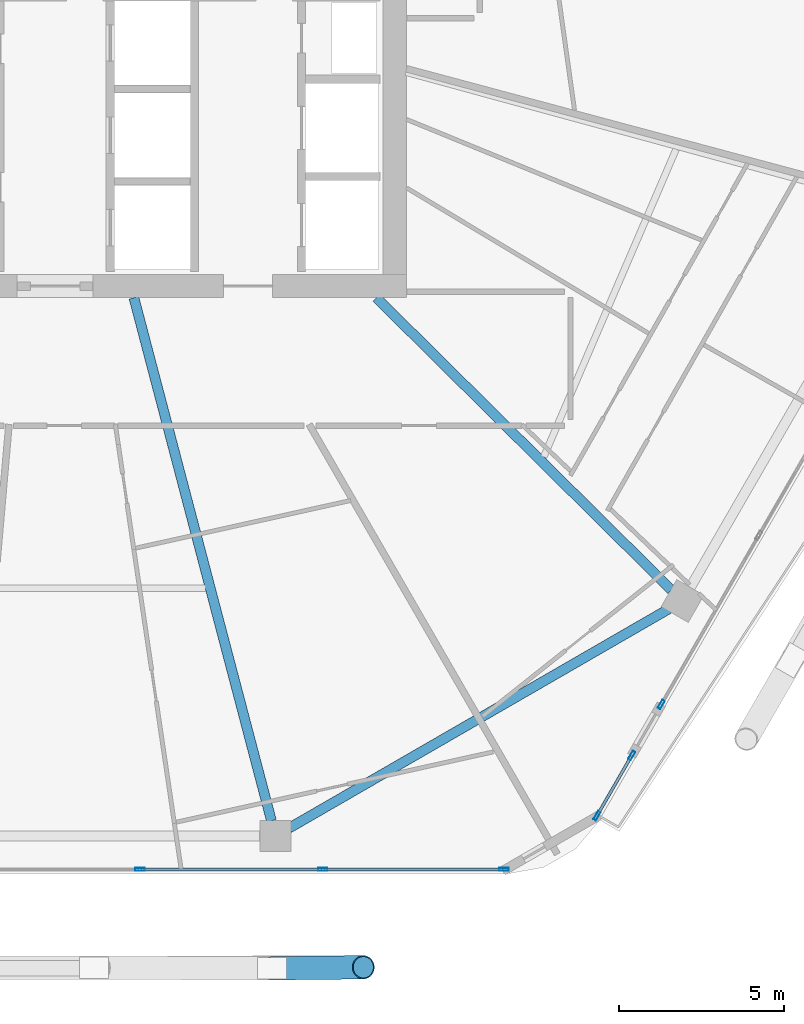
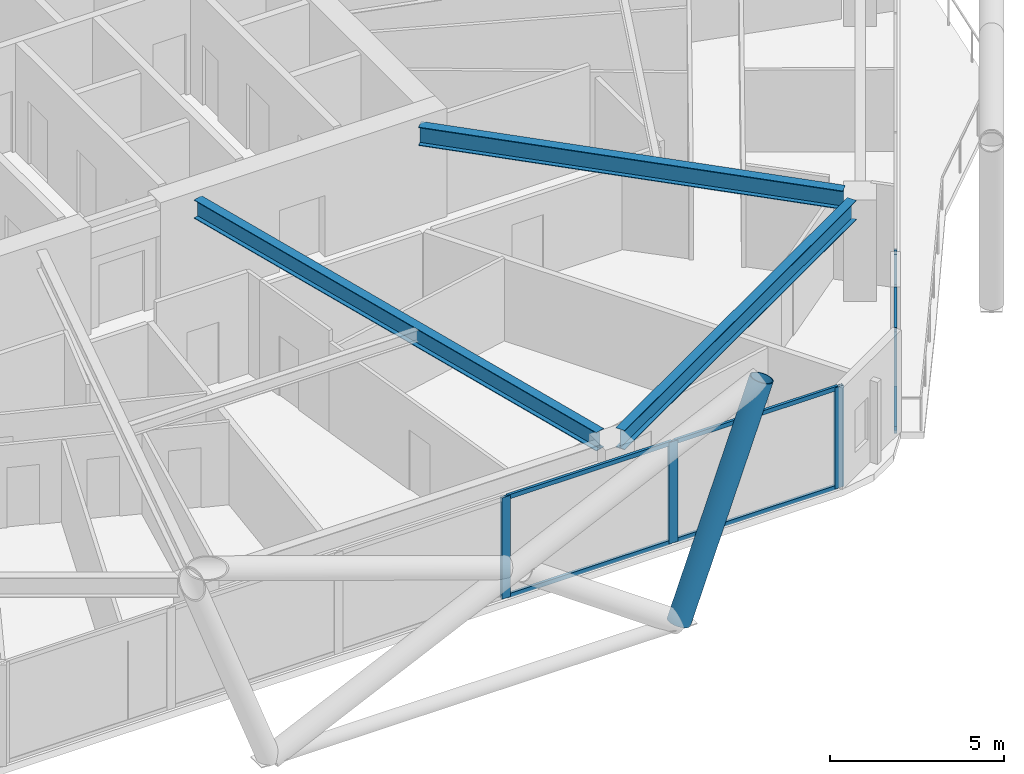
# One storey, part 7 of 28: 13 members, 3 beams, 3 elements without a shape of their own.
"""IFC4 building model written with IfcOpenShell, lengths in metres."""

from ifc_helpers import new_model, si_unit, direction, frame, origin, origin_2d, place, context, subcontext, project, spatial, hollow_rectangle, hollow_circle, i_section, extrude, material, material_profile, profile_set, type_object, element, aggregate, save


model = new_model("IFC4")

# Units and contexts
model_context = context("Model", 3, precision=1e-05, world=origin(), true_north=direction((0.0, 1.0)))
body_context = subcontext(model_context, "Body", "Model", "MODEL_VIEW")
ifc_project = project(units=[si_unit("LENGTHUNIT", "METRE"), si_unit("AREAUNIT", "SQUARE_METRE"), si_unit("VOLUMEUNIT", "CUBIC_METRE"), si_unit("PLANEANGLEUNIT", "RADIAN"), si_unit("MASSUNIT", "GRAM", prefix="KILO")], contexts=[model_context])

# Site, building, storey
site_placement = place(None, origin())
site = spatial("IfcSite", under=ifc_project, at=site_placement, CompositionType="ELEMENT")
building_placement = place(site_placement, origin())
building = spatial("IfcBuilding", under=site, at=building_placement, Name="Zuhravey Tower", CompositionType="ELEMENT")
storey_placement = place(building_placement, frame((0.0, 0.0, 199.800048828125)))
storey = spatial("IfcBuildingStorey", under=building, at=storey_placement, Name="L50", CompositionType="ELEMENT", Elevation=199.800048828125)

# Curtain wall, member
ifc_material_1 = material(Name="Thermally broken anodised aluminium", Category="aluminium")
curtain_wall_type = type_object("IfcCurtainWallType", Name="Zone 1-2 Residential Curtain Wall CW3", PredefinedType="NOTDEFINED", material=ifc_material_1)
curtain_wall_1_placement = place(storey_placement, origin())
curtain_wall_1 = element("IfcCurtainWall", 1, at=curtain_wall_1_placement, inside=storey, type_object=curtain_wall_type, Name="L50 CW3 CW-L50-F6-1", PredefinedType="NOTDEFINED")
ifc_material_2 = material(Name="Anodised aluminium", Category="aluminium")
ifc_material_profile_1 = material_profile(ifc_material_2, hollow_rectangle(XDim=0.090087890625, YDim=0.284912109375, WallThickness=0.0048828125, at=origin_2d()), Name="ALU-RHS-90x285x5")
ifc_profile_set_1 = profile_set([ifc_material_profile_1], Name="Anodised aluminium")
member_type_1 = type_object("IfcMemberType", Name="Curtain-Wall Mullion 90x180", PredefinedType="MULLION", material=ifc_profile_set_1)
member_1_placement = place(storey_placement, frame((54.580810546875, 9.81689453125, 0.0), z_axis=(0.0, 0.0, 1.0), x_axis=(0.866025255938, -0.500000256078, 0.0)))
member_1 = element("IfcMember", 2, at=member_1_placement, type_object=member_type_1, Name="CW3 mullion 5", PredefinedType="MULLION", context=body_context, shape_type="SweptSolid", body=[
    extrude(hollow_rectangle(XDim=0.090087890625, YDim=0.284912109375, WallThickness=0.0048828125, at=origin_2d()), origin(), (0.0, 0.0, 1.0), 3.550048828125),
])
aggregate(curtain_wall_1, [member_1])

# Curtain wall, members
curtain_wall_2_placement = place(storey_placement, origin())
curtain_wall_2 = element("IfcCurtainWall", 3, at=curtain_wall_2_placement, inside=storey, type_object=curtain_wall_type, Name="L50 CW3 CW-L50-F6-2", PredefinedType="NOTDEFINED")
member_2_placement = place(storey_placement, frame((53.685791015625, 8.2666015625, 0.0), z_axis=(0.0, 0.0, 1.0), x_axis=(0.866017184947, -0.500014235174, 0.0)))
member_2 = element("IfcMember", 4, at=member_2_placement, type_object=member_type_1, Name="CW3 mullion 1", PredefinedType="MULLION", context=body_context, shape_type="SweptSolid", body=[
    extrude(hollow_rectangle(XDim=0.090087890625, YDim=0.284912109375, WallThickness=0.0048828125, at=origin_2d()), origin(), (0.0, 0.0, 1.0), 3.550048828125),
])
member_3_placement = place(storey_placement, frame((52.63330078125, 6.443359375, 0.0), z_axis=(0.0, 0.0, 1.0), x_axis=(0.866017184947, -0.500014235174, 0.0)))
member_3 = element("IfcMember", 5, at=member_3_placement, type_object=member_type_1, Name="CW3 mullion 2", PredefinedType="MULLION", context=body_context, shape_type="SweptSolid", body=[
    extrude(hollow_rectangle(XDim=0.090087890625, YDim=0.284912109375, WallThickness=0.0048828125, at=origin_2d()), origin(), (0.0, 0.0, 1.0), 3.550048828125),
])

curtain_wall_3_placement = place(storey_placement, origin())
curtain_wall_3 = element("IfcCurtainWall", 6, at=curtain_wall_3_placement, inside=storey, type_object=curtain_wall_type, Name="L50 CW3 CW-L50-F5-1", PredefinedType="NOTDEFINED")
member_4_placement = place(storey_placement, frame((49.816162109375, 4.81689453125, 0.0), z_axis=(0.0, 0.0, 1.0), x_axis=(0.0, -1.0, 0.0)))
member_4 = element("IfcMember", 7, at=member_4_placement, type_object=member_type_1, Name="CW3 mullion 1", PredefinedType="MULLION", context=body_context, shape_type="SweptSolid", body=[
    extrude(hollow_rectangle(XDim=0.090087890625, YDim=0.284912109375, WallThickness=0.0048828125, at=origin_2d()), origin(), (0.0, 0.0, 1.0), 3.550048828125),
])
member_5_placement = place(storey_placement, frame((44.316650390625, 4.81689453125, 0.0), z_axis=(0.0, 0.0, 1.0), x_axis=(0.0, -1.0, 0.0)))
member_5 = element("IfcMember", 8, at=member_5_placement, type_object=member_type_1, Name="CW3 mullion 2", PredefinedType="MULLION", context=body_context, shape_type="SweptSolid", body=[
    extrude(hollow_rectangle(XDim=0.090087890625, YDim=0.284912109375, WallThickness=0.0048828125, at=origin_2d()), origin(), (0.0, 0.0, 1.0), 3.550048828125),
])
member_6_placement = place(storey_placement, frame((38.772216796875, 4.81689453125, 0.0), z_axis=(0.0, 0.0, 1.0), x_axis=(0.0, -1.0, 0.0)))
member_6 = element("IfcMember", 9, at=member_6_placement, type_object=member_type_1, Name="CW3 mullion 3", PredefinedType="MULLION", context=body_context, shape_type="SweptSolid", body=[
    extrude(hollow_rectangle(XDim=0.090087890625, YDim=0.284912109375, WallThickness=0.0048828125, at=origin_2d()), origin(), (0.0, 0.0, 1.0), 3.550048828125),
])

# Member
ifc_material_profile_2 = material_profile(ifc_material_2, hollow_rectangle(XDim=0.090087890625, YDim=0.14990234375, WallThickness=0.0048828125, at=origin_2d()), Name="ALU-RHS-90x150x5")
ifc_profile_set_2 = profile_set([ifc_material_profile_2], Name="Anodised aluminium")
member_type_2 = type_object("IfcMemberType", Name="Curtain-Wall Transom 90x150", PredefinedType="USERDEFINED", material=ifc_profile_set_2)
member_7_placement = place(storey_placement, frame((53.663330078125, 8.2275390625, 0.044921875), z_axis=(-0.500009111705, -0.866020143075, 0.0), x_axis=(0.866020143075, -0.500009111705, 0.0)))
member_7 = element("IfcMember", 10, at=member_7_placement, type_object=member_type_2, Name="CW3 transom 1.1", ObjectType="TRANSOM", PredefinedType="USERDEFINED", context=body_context, shape_type="SweptSolid", body=[
    extrude(hollow_rectangle(XDim=0.090087890625, YDim=0.14990234375, WallThickness=0.0048828125, at=origin_2d()), origin(), (0.0, 0.0, 1.0), 2.01513671875),
])

member_8_placement = place(storey_placement, frame((53.663330078125, 8.2275390625, 3.5048828125), z_axis=(-0.500009111705, -0.866020143075, 0.0), x_axis=(0.866020143075, -0.500009111705, 0.0)))
member_8 = element("IfcMember", 11, at=member_8_placement, type_object=member_type_2, Name="CW3 transom 1.2", ObjectType="TRANSOM", PredefinedType="USERDEFINED", context=body_context, shape_type="SweptSolid", body=[
    extrude(hollow_rectangle(XDim=0.090087890625, YDim=0.14990234375, WallThickness=0.0048828125, at=origin_2d()), origin(), (0.0, 0.0, 1.0), 2.01513671875),
])

aggregate(curtain_wall_2, [member_2, member_3, member_7, member_8])

member_9_placement = place(storey_placement, frame((49.77099609375, 4.81689453125, 0.044921875), z_axis=(-1.0, 0.0, 0.0), x_axis=(0.0, -1.0, 0.0)))
member_9 = element("IfcMember", 12, at=member_9_placement, type_object=member_type_2, Name="CW3 transom 1.1", ObjectType="TRANSOM", PredefinedType="USERDEFINED", context=body_context, shape_type="SweptSolid", body=[
    extrude(hollow_rectangle(XDim=0.090087890625, YDim=0.14990234375, WallThickness=0.0048828125, at=origin_2d()), origin(), (0.0, 0.0, 1.0), 5.409423828125),
])

member_10_placement = place(storey_placement, frame((49.77099609375, 4.81689453125, 3.5048828125), z_axis=(-1.0, 0.0, 0.0), x_axis=(0.0, -1.0, 0.0)))
member_10 = element("IfcMember", 13, at=member_10_placement, type_object=member_type_2, Name="CW3 transom 1.2", ObjectType="TRANSOM", PredefinedType="USERDEFINED", context=body_context, shape_type="SweptSolid", body=[
    extrude(hollow_rectangle(XDim=0.090087890625, YDim=0.14990234375, WallThickness=0.0048828125, at=origin_2d()), origin(), (0.0, 0.0, 1.0), 5.409423828125),
])

member_11_placement = place(storey_placement, frame((44.271728515625, 4.81689453125, 0.044921875), z_axis=(-1.0, 0.0, 0.0), x_axis=(0.0, -1.0, 0.0)))
member_11 = element("IfcMember", 14, at=member_11_placement, type_object=member_type_2, Name="CW3 transom 2.1", ObjectType="TRANSOM", PredefinedType="USERDEFINED", context=body_context, shape_type="SweptSolid", body=[
    extrude(hollow_rectangle(XDim=0.090087890625, YDim=0.14990234375, WallThickness=0.0048828125, at=origin_2d()), origin(), (0.0, 0.0, 1.0), 5.45458984375),
])

member_12_placement = place(storey_placement, frame((44.271728515625, 4.81689453125, 3.5048828125), z_axis=(-1.0, 0.0, 0.0), x_axis=(0.0, -1.0, 0.0)))
member_12 = element("IfcMember", 15, at=member_12_placement, type_object=member_type_2, Name="CW3 transom 2.2", ObjectType="TRANSOM", PredefinedType="USERDEFINED", context=body_context, shape_type="SweptSolid", body=[
    extrude(hollow_rectangle(XDim=0.090087890625, YDim=0.14990234375, WallThickness=0.0048828125, at=origin_2d()), origin(), (0.0, 0.0, 1.0), 5.45458984375),
])

aggregate(curtain_wall_3, [member_4, member_5, member_6, member_9, member_10, member_11, member_12])

ifc_material_3 = material(Name="Steel SM460", Category="steel")
ifc_material_profile_3 = material_profile(ifc_material_3, hollow_circle(Radius=0.355712890625, WallThickness=0.031982421875, at=origin_2d()), Name="CHS-711.2x32")
ifc_profile_set_3 = profile_set([ifc_material_profile_3], Name="Steel SM460")
member_type_3 = type_object("IfcMemberType", Name="Exoskeleton Zone 2 Diagrid CHS711x32", PredefinedType="BRACE", material=ifc_profile_set_3)
member_13_placement = place(storey_placement, frame((42.788330078125, 1.81689453125, -0.444091796875), z_axis=(0.342856006201, 0.003731312048, 0.939380559902), x_axis=(-0.010882385115, 0.999940785094, 0.0)))
element("IfcMember", 16, at=member_13_placement, inside=storey, type_object=member_type_3, Name="L50 Face 5 Diagrid Brace 4", PredefinedType="BRACE", context=body_context, shape_type="SweptSolid", body=[
    extrude(hollow_circle(Radius=0.355712890625, WallThickness=0.031982421875, at=origin_2d()), origin(), (0.0, 0.0, 1.0), 8.0478515625),
])

# Beams
ifc_material_4 = material(Name="Steel SM355", Category="steel")
ifc_material_profile_4 = material_profile(ifc_material_4, i_section(OverallWidth=0.300048828125, OverallDepth=0.679931640625, WebThickness=0.012939453125, FlangeThickness=0.02197265625, at=origin_2d()), Name="H-680x300x13x22")
ifc_profile_set_4 = profile_set([ifc_material_profile_4], Name="Steel SM355")
beam_type_1 = type_object("IfcBeamType", Name="Perimeter Ring Beam H680x300", PredefinedType="BEAM", material=ifc_profile_set_4)
beam_1_placement = place(storey_placement, frame((43.2958984375, 6.06591796875, 3.2099609375), z_axis=(0.866029041019, 0.499993700073, 0.0), x_axis=(-0.499993700073, 0.866029041019, 0.0)))
element("IfcBeam", 17, at=beam_1_placement, inside=storey, type_object=beam_type_1, Name="L50 PB2 BM-L50-PB-10", PredefinedType="BEAM", context=body_context, shape_type="SweptSolid", body=[
    extrude(i_section(OverallWidth=0.300048828125, OverallDepth=0.679931640625, WebThickness=0.012939453125, FlangeThickness=0.02197265625, at=origin_2d()), origin(), (0.0, 0.0, 1.0), 13.297119140625),
])
ifc_material_profile_5 = material_profile(ifc_material_4, i_section(OverallWidth=0.300048828125, OverallDepth=0.64990234375, WebThickness=0.012939453125, FlangeThickness=0.02197265625, at=origin_2d()), Name="H-650x300x13x22")
ifc_profile_set_5 = profile_set([ifc_material_profile_5], Name="Steel SM355")
beam_type_2 = type_object("IfcBeamType", Name="Radial Primary Girder H650x300", PredefinedType="BEAM", material=ifc_profile_set_5)
beam_2_placement = place(storey_placement, frame((38.5908203125, 22.14697265625, 3.224853515625), z_axis=(0.254299806285, -0.967125435775, 0.0), x_axis=(0.967125435775, 0.254299806285, 0.0)))
element("IfcBeam", 18, at=beam_2_placement, inside=storey, type_object=beam_type_2, Name="L50 RG2 BM-L50-RAD-10", PredefinedType="BEAM", context=body_context, shape_type="SweptSolid", body=[
    extrude(i_section(OverallWidth=0.300048828125, OverallDepth=0.64990234375, WebThickness=0.012939453125, FlangeThickness=0.02197265625, at=origin_2d()), origin(), (0.0, 0.0, 1.0), 16.396728515625),
])
beam_3_placement = place(storey_placement, frame((45.945556640625, 22.14697265625, 3.224853515625), z_axis=(0.710406645816, -0.703791444663, 0.0), x_axis=(0.703791444663, 0.710406645816, 0.0)))
element("IfcBeam", 19, at=beam_3_placement, inside=storey, type_object=beam_type_2, Name="L50 RG2 BM-L50-RAD-11", PredefinedType="BEAM", context=body_context, shape_type="SweptSolid", body=[
    extrude(i_section(OverallWidth=0.300048828125, OverallDepth=0.64990234375, WebThickness=0.012939453125, FlangeThickness=0.02197265625, at=origin_2d()), origin(), (0.0, 0.0, 1.0), 12.5849609375),
])

save(model, "model.ifc")
